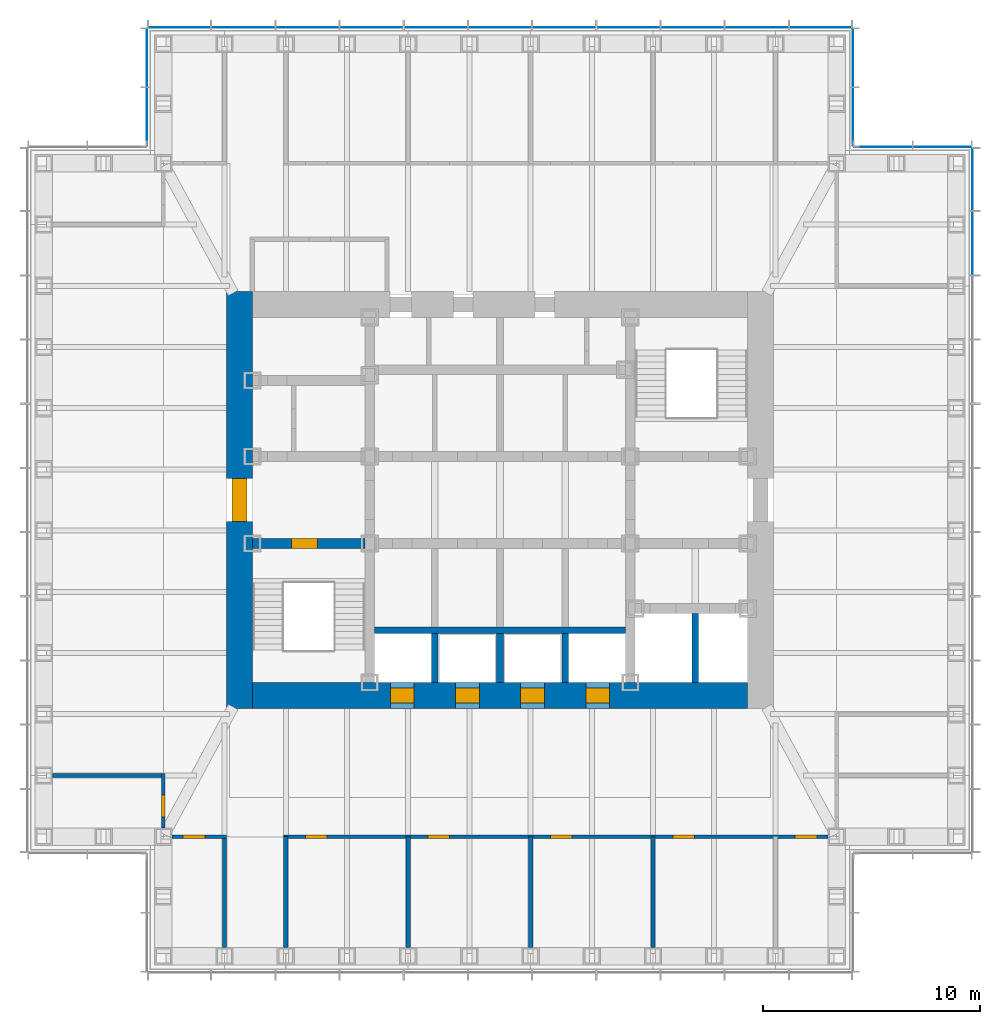
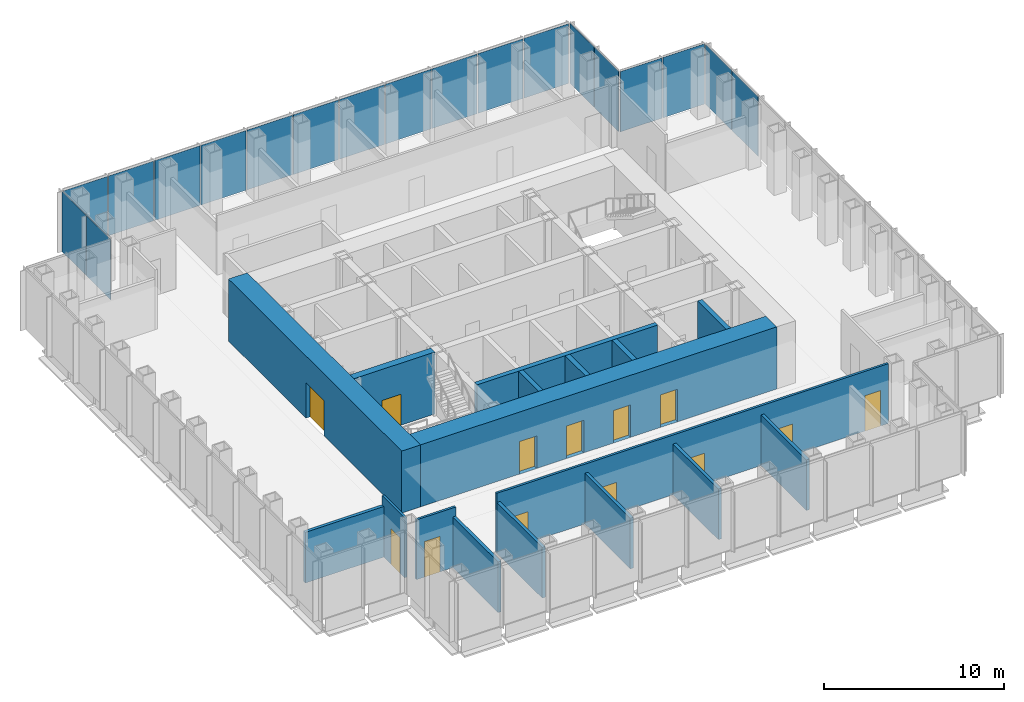
# One storey, part 8 of 16: 19 plates, 17 walls, 13 doors, 13 openings, 5 elements without a shape of their own.
"""IFC4 building model written with IfcOpenShell, lengths in metres."""

from ifc_helpers import new_model, si_unit, direction, frame, frame_2d, origin, origin_2d, place, context, subcontext, project, spatial, rectangle, extrude, material, layer, layer_set, type_object, element, fill, aggregate, save


model = new_model("IFC4")

# Units and contexts
model_context = context("Model", 3, precision=1e-05, world=origin(), true_north=direction((0.0, 1.0)))
body_context = subcontext(model_context, "Body", "Model", "MODEL_VIEW")
ifc_project = project(units=[si_unit("LENGTHUNIT", "METRE"), si_unit("AREAUNIT", "SQUARE_METRE"), si_unit("VOLUMEUNIT", "CUBIC_METRE"), si_unit("PLANEANGLEUNIT", "RADIAN"), si_unit("MASSUNIT", "GRAM", prefix="KILO")], contexts=[model_context])

# Site, building, storey
site_placement = place(None, origin())
site = spatial("IfcSite", under=ifc_project, at=site_placement, CompositionType="ELEMENT")
building_placement = place(site_placement, origin())
building = spatial("IfcBuilding", under=site, at=building_placement, Name="Daluyong Arena Tower", CompositionType="ELEMENT")
storey_placement = place(building_placement, frame((0.0, 0.0, 219.10009765625)))
storey = spatial("IfcBuildingStorey", under=building, at=storey_placement, Name="L49", CompositionType="ELEMENT", Elevation=219.10009765625)

# Curtain wall, plates
ifc_material_1 = material(Name="Bronze anodised aluminium and glass", Category="aluminium")
curtain_wall_type_1 = type_object("IfcCurtainWallType", Name="Curtain wall CW3", PredefinedType="USERDEFINED", material=ifc_material_1)
curtain_wall_1_placement = place(storey_placement, origin())
curtain_wall_1 = element("IfcCurtainWall", 1, at=curtain_wall_1_placement, inside=storey, type_object=curtain_wall_type_1, Name="curtain wall L49 E", ObjectType="UNITISED CURTAIN WALL", PredefinedType="USERDEFINED")
ifc_material_2 = material(Name="Tinted double glazed unit", Category="glass")
ifc_layer_1 = layer(ifc_material_2, 0.030029296875)
ifc_layer_set_1 = layer_set([ifc_layer_1], Name="Tinted double glazed unit")
plate_type_1 = type_object("IfcPlateType", Name="CW3 panel 30", PredefinedType="CURTAIN_PANEL", material=ifc_layer_set_1)
plate_1_placement = place(storey_placement, frame((77.75, 91.818115234375, 0.0), z_axis=(0.0, 0.0, 1.0), x_axis=(0.0, 1.0, 0.0)))
plate_1 = element("IfcPlate", 2, at=plate_1_placement, type_object=plate_type_1, Name="curtain wall L49 E panel 10", PredefinedType="CURTAIN_PANEL", context=body_context, shape_type="SweptSolid", body=[
    extrude(rectangle(XDim=2.884521484375, YDim=0.030029296875, at=origin_2d()), origin(), (0.0, 0.0, 1.0), 4.0400390625),
])
plate_2_placement = place(storey_placement, frame((77.75, 94.755126953125, 0.0), z_axis=(0.0, 0.0, 1.0), x_axis=(0.0, 1.0, 0.0)))
plate_2 = element("IfcPlate", 3, at=plate_2_placement, type_object=plate_type_1, Name="curtain wall L49 E panel 11", PredefinedType="CURTAIN_PANEL", context=body_context, shape_type="SweptSolid", body=[
    extrude(rectangle(XDim=2.849609375, YDim=0.030029296875, at=origin_2d()), origin(), (0.0, 0.0, 1.0), 4.0400390625),
])
aggregate(curtain_wall_1, [plate_1, plate_2])

curtain_wall_2_placement = place(storey_placement, origin())
curtain_wall_2 = element("IfcCurtainWall", 4, at=curtain_wall_2_placement, inside=storey, type_object=curtain_wall_type_1, Name="curtain wall L49 N", ObjectType="UNITISED CURTAIN WALL", PredefinedType="USERDEFINED")
plate_3_placement = place(storey_placement, frame((70.755126953125, 101.75, 0.0), z_axis=(0.0, 0.0, 1.0), x_axis=(-1.0, 0.0, 0.0)))
plate_3 = element("IfcPlate", 5, at=plate_3_placement, type_object=plate_type_1, Name="curtain wall L49 N panel 1", PredefinedType="CURTAIN_PANEL", context=body_context, shape_type="SweptSolid", body=[
    extrude(rectangle(XDim=2.849609375, YDim=0.030029296875, at=origin_2d()), origin(), (0.0, 0.0, 1.0), 4.0400390625),
])
plate_4_placement = place(storey_placement, frame((67.818115234375, 101.75, 0.0), z_axis=(0.0, 0.0, 1.0), x_axis=(-1.0, 0.0, 0.0)))
plate_4 = element("IfcPlate", 6, at=plate_4_placement, type_object=plate_type_1, Name="curtain wall L49 N panel 2", PredefinedType="CURTAIN_PANEL", context=body_context, shape_type="SweptSolid", body=[
    extrude(rectangle(XDim=2.884521484375, YDim=0.030029296875, at=origin_2d()), origin(), (0.0, 0.0, 1.0), 4.0400390625),
])
plate_5_placement = place(storey_placement, frame((64.863525390625, 101.75, 0.0), z_axis=(0.0, 0.0, 1.0), x_axis=(-1.0, 0.0, 0.0)))
plate_5 = element("IfcPlate", 7, at=plate_5_placement, type_object=plate_type_1, Name="curtain wall L49 N panel 3", PredefinedType="CURTAIN_PANEL", context=body_context, shape_type="SweptSolid", body=[
    extrude(rectangle(XDim=2.884521484375, YDim=0.030029296875, at=origin_2d()), origin(), (0.0, 0.0, 1.0), 4.0400390625),
])
plate_6_placement = place(storey_placement, frame((61.9091796875, 101.75, 0.0), z_axis=(0.0, 0.0, 1.0), x_axis=(-1.0, 0.0, 0.0)))
plate_6 = element("IfcPlate", 8, at=plate_6_placement, type_object=plate_type_1, Name="curtain wall L49 N panel 4", PredefinedType="CURTAIN_PANEL", context=body_context, shape_type="SweptSolid", body=[
    extrude(rectangle(XDim=2.884521484375, YDim=0.030029296875, at=origin_2d()), origin(), (0.0, 0.0, 1.0), 4.0400390625),
])
plate_7_placement = place(storey_placement, frame((58.95458984375, 101.75, 0.0), z_axis=(0.0, 0.0, 1.0), x_axis=(-1.0, 0.0, 0.0)))
plate_7 = element("IfcPlate", 9, at=plate_7_placement, type_object=plate_type_1, Name="curtain wall L49 N panel 5", PredefinedType="CURTAIN_PANEL", context=body_context, shape_type="SweptSolid", body=[
    extrude(rectangle(XDim=2.884521484375, YDim=0.030029296875, at=origin_2d()), origin(), (0.0, 0.0, 1.0), 4.0400390625),
])
plate_8_placement = place(storey_placement, frame((56.0, 101.75, 0.0), z_axis=(0.0, 0.0, 1.0), x_axis=(-1.0, 0.0, 0.0)))
plate_8 = element("IfcPlate", 10, at=plate_8_placement, type_object=plate_type_1, Name="curtain wall L49 N panel 6", PredefinedType="CURTAIN_PANEL", context=body_context, shape_type="SweptSolid", body=[
    extrude(rectangle(XDim=2.884521484375, YDim=0.030029296875, at=origin_2d()), origin(), (0.0, 0.0, 1.0), 4.0400390625),
])
plate_9_placement = place(storey_placement, frame((53.04541015625, 101.75, 0.0), z_axis=(0.0, 0.0, 1.0), x_axis=(-1.0, 0.0, 0.0)))
plate_9 = element("IfcPlate", 11, at=plate_9_placement, type_object=plate_type_1, Name="curtain wall L49 N panel 7", PredefinedType="CURTAIN_PANEL", context=body_context, shape_type="SweptSolid", body=[
    extrude(rectangle(XDim=2.884521484375, YDim=0.030029296875, at=origin_2d()), origin(), (0.0, 0.0, 1.0), 4.0400390625),
])
plate_10_placement = place(storey_placement, frame((50.0908203125, 101.75, 0.0), z_axis=(0.0, 0.0, 1.0), x_axis=(-1.0, 0.0, 0.0)))
plate_10 = element("IfcPlate", 12, at=plate_10_placement, type_object=plate_type_1, Name="curtain wall L49 N panel 8", PredefinedType="CURTAIN_PANEL", context=body_context, shape_type="SweptSolid", body=[
    extrude(rectangle(XDim=2.884521484375, YDim=0.030029296875, at=origin_2d()), origin(), (0.0, 0.0, 1.0), 4.0400390625),
])
plate_11_placement = place(storey_placement, frame((47.136474609375, 101.75, 0.0), z_axis=(0.0, 0.0, 1.0), x_axis=(-1.0, 0.0, 0.0)))
plate_11 = element("IfcPlate", 13, at=plate_11_placement, type_object=plate_type_1, Name="curtain wall L49 N panel 9", PredefinedType="CURTAIN_PANEL", context=body_context, shape_type="SweptSolid", body=[
    extrude(rectangle(XDim=2.884521484375, YDim=0.030029296875, at=origin_2d()), origin(), (0.0, 0.0, 1.0), 4.0400390625),
])
plate_12_placement = place(storey_placement, frame((44.181884765625, 101.75, 0.0), z_axis=(0.0, 0.0, 1.0), x_axis=(-1.0, 0.0, 0.0)))
plate_12 = element("IfcPlate", 14, at=plate_12_placement, type_object=plate_type_1, Name="curtain wall L49 N panel 10", PredefinedType="CURTAIN_PANEL", context=body_context, shape_type="SweptSolid", body=[
    extrude(rectangle(XDim=2.884521484375, YDim=0.030029296875, at=origin_2d()), origin(), (0.0, 0.0, 1.0), 4.0400390625),
])
plate_13_placement = place(storey_placement, frame((41.244873046875, 101.75, 0.0), z_axis=(0.0, 0.0, 1.0), x_axis=(-1.0, 0.0, 0.0)))
plate_13 = element("IfcPlate", 15, at=plate_13_placement, type_object=plate_type_1, Name="curtain wall L49 N panel 11", PredefinedType="CURTAIN_PANEL", context=body_context, shape_type="SweptSolid", body=[
    extrude(rectangle(XDim=2.849609375, YDim=0.030029296875, at=origin_2d()), origin(), (0.0, 0.0, 1.0), 4.0400390625),
])
aggregate(curtain_wall_2, [plate_3, plate_4, plate_5, plate_6, plate_7, plate_8, plate_9, plate_10, plate_11, plate_12, plate_13])

ifc_material_3 = material(Name="Bronze anodised aluminium and glass", Category="aluminium")
curtain_wall_type_2 = type_object("IfcCurtainWallType", Name="Curtain wall CW7", PredefinedType="USERDEFINED", material=ifc_material_3)
curtain_wall_3_placement = place(storey_placement, origin())
curtain_wall_3 = element("IfcCurtainWall", 16, at=curtain_wall_3_placement, inside=storey, type_object=curtain_wall_type_2, Name="curtain wall L49 NE-N", ObjectType="UNITISED CURTAIN WALL", PredefinedType="USERDEFINED")
ifc_material_4 = material(Name="Tinted double glazed unit", Category="glass")
ifc_layer_2 = layer(ifc_material_4, 0.028076171875)
ifc_layer_set_2 = layer_set([ifc_layer_2], Name="Tinted double glazed unit")
plate_type_2 = type_object("IfcPlateType", Name="CW7 panel 28", PredefinedType="CURTAIN_PANEL", material=ifc_layer_set_2)
plate_14_placement = place(storey_placement, frame((76.360107421875, 96.25, -0.000244140625), z_axis=(0.0, 0.0, 1.0), x_axis=(-1.0, 0.0, 0.0)))
plate_14 = element("IfcPlate", 17, at=plate_14_placement, type_object=plate_type_2, Name="curtain wall L49 NE-N panel 1", PredefinedType="CURTAIN_PANEL", context=body_context, shape_type="SweptSolid", body=[
    extrude(rectangle(XDim=2.659912109375, YDim=0.028076171875, at=origin_2d()), origin(), (0.0, 0.0, 1.0), 4.080078125),
])
plate_15_placement = place(storey_placement, frame((73.639892578125, 96.25, -0.000244140625), z_axis=(0.0, 0.0, 1.0), x_axis=(-1.0, 0.0, 0.0)))
plate_15 = element("IfcPlate", 18, at=plate_15_placement, type_object=plate_type_2, Name="curtain wall L49 NE-N panel 2", PredefinedType="CURTAIN_PANEL", context=body_context, shape_type="SweptSolid", body=[
    extrude(rectangle(XDim=2.659912109375, YDim=0.028076171875, at=origin_2d()), origin(), (0.0, 0.0, 1.0), 4.080078125),
])
aggregate(curtain_wall_3, [plate_14, plate_15])

curtain_wall_4_placement = place(storey_placement, origin())
curtain_wall_4 = element("IfcCurtainWall", 19, at=curtain_wall_4_placement, inside=storey, type_object=curtain_wall_type_2, Name="curtain wall L49 NE-E", ObjectType="UNITISED CURTAIN WALL", PredefinedType="USERDEFINED")
plate_16_placement = place(storey_placement, frame((72.25, 97.639892578125, -0.000244140625), z_axis=(0.0, 0.0, 1.0), x_axis=(0.0, 1.0, 0.0)))
plate_16 = element("IfcPlate", 20, at=plate_16_placement, type_object=plate_type_2, Name="curtain wall L49 NE-E panel 1", PredefinedType="CURTAIN_PANEL", context=body_context, shape_type="SweptSolid", body=[
    extrude(rectangle(XDim=2.659912109375, YDim=0.028076171875, at=origin_2d()), origin(), (0.0, 0.0, 1.0), 4.080078125),
])
plate_17_placement = place(storey_placement, frame((72.25, 100.360107421875, -0.000244140625), z_axis=(0.0, 0.0, 1.0), x_axis=(0.0, 1.0, 0.0)))
plate_17 = element("IfcPlate", 21, at=plate_17_placement, type_object=plate_type_2, Name="curtain wall L49 NE-E panel 2", PredefinedType="CURTAIN_PANEL", context=body_context, shape_type="SweptSolid", body=[
    extrude(rectangle(XDim=2.659912109375, YDim=0.028076171875, at=origin_2d()), origin(), (0.0, 0.0, 1.0), 4.080078125),
])
aggregate(curtain_wall_4, [plate_16, plate_17])

curtain_wall_5_placement = place(storey_placement, origin())
curtain_wall_5 = element("IfcCurtainWall", 22, at=curtain_wall_5_placement, inside=storey, type_object=curtain_wall_type_2, Name="curtain wall L49 NW-W", ObjectType="UNITISED CURTAIN WALL", PredefinedType="USERDEFINED")
plate_18_placement = place(storey_placement, frame((39.75, 100.360107421875, -0.000244140625), z_axis=(0.0, 0.0, 1.0), x_axis=(0.0, -1.0, 0.0)))
plate_18 = element("IfcPlate", 23, at=plate_18_placement, type_object=plate_type_2, Name="curtain wall L49 NW-W panel 1", PredefinedType="CURTAIN_PANEL", context=body_context, shape_type="SweptSolid", body=[
    extrude(rectangle(XDim=2.659912109375, YDim=0.028076171875, at=origin_2d()), origin(), (0.0, 0.0, 1.0), 4.080078125),
])
plate_19_placement = place(storey_placement, frame((39.75, 97.639892578125, -0.000244140625), z_axis=(0.0, 0.0, 1.0), x_axis=(0.0, -1.0, 0.0)))
plate_19 = element("IfcPlate", 24, at=plate_19_placement, type_object=plate_type_2, Name="curtain wall L49 NW-W panel 2", PredefinedType="CURTAIN_PANEL", context=body_context, shape_type="SweptSolid", body=[
    extrude(rectangle(XDim=2.659912109375, YDim=0.028076171875, at=origin_2d()), origin(), (0.0, 0.0, 1.0), 4.080078125),
])
aggregate(curtain_wall_5, [plate_18, plate_19])

# Wall, opening, door
ifc_material_5 = material(Name="Concrete fc' 45 MPa", Category="concrete")
ifc_layer_3 = layer(ifc_material_5, 0.449951171875)
ifc_layer_set_3 = layer_set([ifc_layer_3], Name="Concrete fc' 45 MPa")
wall_type_1 = type_object("IfcWallType", Name="Core inner wall 450", PredefinedType="SHEAR", material=ifc_layer_set_3)
wall_1_placement = place(storey_placement, frame((44.60009765625, 78.0, 0.0), z_axis=(0.0, 0.0, 1.0), x_axis=(1.0, 0.0, 0.0)))
wall_1 = element("IfcWall", 25, at=wall_1_placement, inside=storey, type_object=wall_type_1, Name="core inner wall at L49", PredefinedType="SHEAR", context=body_context, shape_type="SweptSolid", body=[
    extrude(rectangle(XDim=5.1748046875, YDim=0.449951171875, at=frame_2d((2.58740234375, 0.0))), origin(), (0.0, 0.0, 1.0), 4.199951171875),
])
opening_1_placement = place(wall_1_placement, frame((1.800048828125, 0.0, 0.0)))
opening_1 = element("IfcOpeningElement", 26, at=opening_1_placement, cuts=wall_1, Name="Opening 49016", PredefinedType="OPENING", context=body_context, shape_type="SweptSolid", body=[
    extrude(rectangle(XDim=1.199951171875, YDim=2.10009765625, at=frame_2d((0.60009765625, 1.050048828125))), frame((0.0, 0.23486328125, 0.0), z_axis=(0.0, -1.0, 0.0), x_axis=(1.0, 0.0, 0.0)), (0.0, 0.0, 1.0), 0.469970703125),
])
ifc_material_6 = material(Name="Steel door, fire rated", Category="steel")
door_type_1 = type_object("IfcDoorType", Name="Stair door 1200", OperationType="SINGLE_SWING_LEFT", PredefinedType="DOOR", material=ifc_material_6)
door_1_placement = place(opening_1_placement, origin())
door_1 = element("IfcDoor", 27, at=door_1_placement, inside=storey, type_object=door_type_1, Name="stair A door 49016", OperationType="SINGLE_SWING_LEFT", OverallHeight=2.10009765625, OverallWidth=1.199951171875, PredefinedType="DOOR", context=body_context, shape_type="SweptSolid", body=[
    extrude(rectangle(XDim=1.199951171875, YDim=2.10009765625, at=frame_2d((0.60009765625, 1.050048828125))), frame((0.0, 0.224609375, 0.0), z_axis=(0.0, -1.0, 0.0), x_axis=(1.0, 0.0, 0.0)), (0.0, 0.0, 1.0), 0.449462890625),
])
fill(opening_1, door_1)

ifc_material_7 = material(Name="Concrete fc' 60 MPa", Category="concrete")
ifc_layer_4 = layer(ifc_material_7, 1.199951171875)
ifc_layer_set_4 = layer_set([ifc_layer_4], Name="Concrete fc' 60 MPa")
wall_type_2 = type_object("IfcWallType", Name="Core wall 1200", PredefinedType="SHEAR", material=ifc_layer_set_4)
wall_2_placement = place(storey_placement, frame((44.0, 70.39990234375, 0.0), z_axis=(0.0, 0.0, 1.0), x_axis=(0.0, 1.0, 0.0)))
wall_2 = element("IfcWall", 28, at=wall_2_placement, inside=storey, type_object=wall_type_2, Name="core wall at L49", PredefinedType="SHEAR", context=body_context, shape_type="SweptSolid", body=[
    extrude(rectangle(XDim=19.2001953125, YDim=1.199951171875, at=frame_2d((9.60009765625, 0.0))), origin(), (0.0, 0.0, 1.0), 4.199951171875),
])
opening_2_placement = place(wall_2_placement, frame((8.60009765625, 0.0, 0.0)))
opening_2 = element("IfcOpeningElement", 29, at=opening_2_placement, cuts=wall_2, Name="Opening 49018", PredefinedType="OPENING", context=body_context, shape_type="SweptSolid", body=[
    extrude(rectangle(XDim=2.0, YDim=2.39990234375, at=frame_2d((1.0, 1.199951171875))), frame((0.0, 0.60986328125, 0.0), z_axis=(0.0, -1.0, 0.0), x_axis=(1.0, 0.0, 0.0)), (0.0, 0.0, 1.0), 1.219970703125),
])
ifc_material_8 = material(Name="Steel door, fire rated", Category="steel")
door_type_2 = type_object("IfcDoorType", Name="Core lobby double door 2000", OperationType="DOUBLE_DOOR_SINGLE_SWING", PredefinedType="DOOR", material=ifc_material_8)
door_2_placement = place(opening_2_placement, origin())
door_2 = element("IfcDoor", 30, at=door_2_placement, inside=storey, type_object=door_type_2, Name="core lobby door west 49018", OperationType="DOUBLE_DOOR_SINGLE_SWING", OverallHeight=2.39990234375, OverallWidth=2.0, PredefinedType="DOOR", context=body_context, shape_type="SweptSolid", body=[
    extrude(rectangle(XDim=2.0, YDim=2.39990234375, at=frame_2d((1.0, 1.199951171875))), frame((0.0, 0.35009765625, 0.0), z_axis=(0.0, -1.0, 0.0), x_axis=(1.0, 0.0, 0.0)), (0.0, 0.0, 1.0), 0.699951171875),
])
fill(opening_2, door_2)

# Wall, openings, doors
wall_3_placement = place(storey_placement, frame((44.60009765625, 71.0, 0.0), z_axis=(0.0, 0.0, 1.0), x_axis=(1.0, 0.0, 0.0)))
wall_3 = element("IfcWall", 31, at=wall_3_placement, inside=storey, type_object=wall_type_2, Name="core wall at L49", PredefinedType="SHEAR", context=body_context, shape_type="SweptSolid", body=[
    extrude(rectangle(XDim=22.7998046875, YDim=1.199951171875, at=frame_2d((11.39990234375, 0.0))), origin(), (0.0, 0.0, 1.0), 4.199951171875),
])
opening_3_placement = place(wall_3_placement, frame((6.35009765625, 0.0, 0.0)))
opening_3 = element("IfcOpeningElement", 32, at=opening_3_placement, cuts=wall_3, Name="Opening 49023", PredefinedType="OPENING", context=body_context, shape_type="SweptSolid", body=[
    extrude(rectangle(XDim=1.10009765625, YDim=2.199951171875, at=frame_2d((0.550048828125, 1.10009765625))), frame((0.0, 0.60986328125, 0.0), z_axis=(0.0, -1.0, 0.0), x_axis=(1.0, 0.0, 0.0)), (0.0, 0.0, 1.0), 1.219970703125),
])
opening_4_placement = place(wall_3_placement, frame((9.35009765625, 0.0, 0.0)))
opening_4 = element("IfcOpeningElement", 33, at=opening_4_placement, cuts=wall_3, Name="Opening 49024", PredefinedType="OPENING", context=body_context, shape_type="SweptSolid", body=[
    extrude(rectangle(XDim=1.10009765625, YDim=2.199951171875, at=frame_2d((0.550048828125, 1.10009765625))), frame((0.0, 0.60986328125, 0.0), z_axis=(0.0, -1.0, 0.0), x_axis=(1.0, 0.0, 0.0)), (0.0, 0.0, 1.0), 1.219970703125),
])
opening_5_placement = place(wall_3_placement, frame((12.35009765625, 0.0, 0.0)))
opening_5 = element("IfcOpeningElement", 34, at=opening_5_placement, cuts=wall_3, Name="Opening 49025", PredefinedType="OPENING", context=body_context, shape_type="SweptSolid", body=[
    extrude(rectangle(XDim=1.10009765625, YDim=2.199951171875, at=frame_2d((0.550048828125, 1.10009765625))), frame((0.0, 0.60986328125, 0.0), z_axis=(0.0, -1.0, 0.0), x_axis=(1.0, 0.0, 0.0)), (0.0, 0.0, 1.0), 1.219970703125),
])
opening_6_placement = place(wall_3_placement, frame((15.35009765625, 0.0, 0.0)))
opening_6 = element("IfcOpeningElement", 35, at=opening_6_placement, cuts=wall_3, Name="Opening 49026", PredefinedType="OPENING", context=body_context, shape_type="SweptSolid", body=[
    extrude(rectangle(XDim=1.10009765625, YDim=2.199951171875, at=frame_2d((0.550048828125, 1.10009765625))), frame((0.0, 0.60986328125, 0.0), z_axis=(0.0, -1.0, 0.0), x_axis=(1.0, 0.0, 0.0)), (0.0, 0.0, 1.0), 1.219970703125),
])
ifc_material_9 = material(Name="Steel door, fire rated", Category="steel")
door_type_3 = type_object("IfcDoorType", Name="Lift landing door 1100", OperationType="SLIDING_TO_LEFT", PredefinedType="DOOR", material=ifc_material_9)
door_3_placement = place(opening_3_placement, origin())
door_3 = element("IfcDoor", 36, at=door_3_placement, inside=storey, type_object=door_type_3, Name="lift landing door C1 49023", OperationType="SLIDING_TO_LEFT", OverallHeight=2.199951171875, OverallWidth=1.10009765625, PredefinedType="DOOR", context=body_context, shape_type="SweptSolid", body=[
    extrude(rectangle(XDim=1.10009765625, YDim=2.199951171875, at=frame_2d((0.550048828125, 1.10009765625))), frame((0.0, 0.35009765625, 0.0), z_axis=(0.0, -1.0, 0.0), x_axis=(1.0, 0.0, 0.0)), (0.0, 0.0, 1.0), 0.699951171875),
])
fill(opening_3, door_3)
door_4_placement = place(opening_4_placement, origin())
door_4 = element("IfcDoor", 37, at=door_4_placement, inside=storey, type_object=door_type_3, Name="lift landing door C2 49024", OperationType="SLIDING_TO_LEFT", OverallHeight=2.199951171875, OverallWidth=1.10009765625, PredefinedType="DOOR", context=body_context, shape_type="SweptSolid", body=[
    extrude(rectangle(XDim=1.10009765625, YDim=2.199951171875, at=frame_2d((0.550048828125, 1.10009765625))), frame((0.0, 0.35009765625, 0.0), z_axis=(0.0, -1.0, 0.0), x_axis=(1.0, 0.0, 0.0)), (0.0, 0.0, 1.0), 0.699951171875),
])
fill(opening_4, door_4)
door_5_placement = place(opening_5_placement, origin())
door_5 = element("IfcDoor", 38, at=door_5_placement, inside=storey, type_object=door_type_3, Name="lift landing door C3 49025", OperationType="SLIDING_TO_LEFT", OverallHeight=2.199951171875, OverallWidth=1.10009765625, PredefinedType="DOOR", context=body_context, shape_type="SweptSolid", body=[
    extrude(rectangle(XDim=1.10009765625, YDim=2.199951171875, at=frame_2d((0.550048828125, 1.10009765625))), frame((0.0, 0.35009765625, 0.0), z_axis=(0.0, -1.0, 0.0), x_axis=(1.0, 0.0, 0.0)), (0.0, 0.0, 1.0), 0.699951171875),
])
fill(opening_5, door_5)
door_6_placement = place(opening_6_placement, origin())
door_6 = element("IfcDoor", 39, at=door_6_placement, inside=storey, type_object=door_type_3, Name="lift landing door C4 49026", OperationType="SLIDING_TO_LEFT", OverallHeight=2.199951171875, OverallWidth=1.10009765625, PredefinedType="DOOR", context=body_context, shape_type="SweptSolid", body=[
    extrude(rectangle(XDim=1.10009765625, YDim=2.199951171875, at=frame_2d((0.550048828125, 1.10009765625))), frame((0.0, 0.35009765625, 0.0), z_axis=(0.0, -1.0, 0.0), x_axis=(1.0, 0.0, 0.0)), (0.0, 0.0, 1.0), 0.699951171875),
])
fill(opening_6, door_6)

# Wall, opening, door
ifc_material_10 = material(Name="Glazed aluminium partition", Category="aluminium")
ifc_layer_5 = layer(ifc_material_10, 0.14990234375)
ifc_layer_set_5 = layer_set([ifc_layer_5], Name="Glazed aluminium partition")
wall_type_3 = type_object("IfcWallType", Name="Glazed partition 150", PredefinedType="PARTITIONING", material=ifc_layer_set_5)
wall_4_placement = place(storey_placement, frame((40.89990234375, 64.5, 0.0), z_axis=(0.0, 0.0, 1.0), x_axis=(1.0, 0.0, 0.0)))
wall_4 = element("IfcWall", 40, at=wall_4_placement, inside=storey, type_object=wall_type_3, Name="glazed partition at L49", PredefinedType="PARTITIONING", context=body_context, shape_type="SweptSolid", body=[
    extrude(rectangle(XDim=2.518310546875, YDim=0.14990234375, at=frame_2d((1.25927734375, 0.0))), origin(), (0.0, 0.0, 1.0), 4.039794921875),
])
opening_7_placement = place(wall_4_placement, frame((0.509033203125, 0.0, 0.0)))
opening_7 = element("IfcOpeningElement", 41, at=opening_7_placement, cuts=wall_4, Name="Opening 49029", PredefinedType="OPENING", context=body_context, shape_type="SweptSolid", body=[
    extrude(rectangle(XDim=1.0, YDim=2.39990234375, at=frame_2d((0.5, 1.199951171875))), frame((0.0, 0.0849609375, 0.0), z_axis=(0.0, -1.0, 0.0), x_axis=(1.0, 0.0, 0.0)), (0.0, 0.0, 1.0), 0.169921875),
])
ifc_material_11 = material(Name="Glazed aluminium door", Category="aluminium")
door_type_4 = type_object("IfcDoorType", Name="Meeting room glazed door 1000", OperationType="SINGLE_SWING_RIGHT", PredefinedType="DOOR", material=ifc_material_11)
door_7_placement = place(opening_7_placement, origin())
door_7 = element("IfcDoor", 42, at=door_7_placement, inside=storey, type_object=door_type_4, Name="focus room door 49029", OperationType="SINGLE_SWING_RIGHT", OverallHeight=2.39990234375, OverallWidth=1.0, PredefinedType="DOOR", context=body_context, shape_type="SweptSolid", body=[
    extrude(rectangle(XDim=1.0, YDim=2.39990234375, at=frame_2d((0.5, 1.199951171875))), frame((0.0, 0.07470703125, 0.0), z_axis=(0.0, -1.0, 0.0), x_axis=(1.0, 0.0, 0.0)), (0.0, 0.0, 1.0), 0.1494140625),
])
fill(opening_7, door_7)

# Wall, openings, doors
wall_5_placement = place(storey_placement, frame((46.036376953125, 64.5, 0.0), z_axis=(0.0, 0.0, 1.0), x_axis=(1.0, 0.0, 0.0)))
wall_5 = element("IfcWall", 43, at=wall_5_placement, inside=storey, type_object=wall_type_3, Name="glazed partition at L49", PredefinedType="PARTITIONING", context=body_context, shape_type="SweptSolid", body=[
    extrude(rectangle(XDim=25.063720703125, YDim=0.14990234375, at=frame_2d((12.53173828125, 0.0))), origin(), (0.0, 0.0, 1.0), 4.039794921875),
])
opening_8_placement = place(wall_5_placement, frame((1.009033203125, 0.0, 0.0)))
opening_8 = element("IfcOpeningElement", 44, at=opening_8_placement, cuts=wall_5, Name="Opening 49030", PredefinedType="OPENING", context=body_context, shape_type="SweptSolid", body=[
    extrude(rectangle(XDim=1.0, YDim=2.10009765625, at=frame_2d((0.5, 1.050048828125))), frame((0.0, 0.0849609375, 0.0), z_axis=(0.0, -1.0, 0.0), x_axis=(1.0, 0.0, 0.0)), (0.0, 0.0, 1.0), 0.169921875),
])
opening_9_placement = place(wall_5_placement, frame((6.6455078125, 0.0, 0.0)))
opening_9 = element("IfcOpeningElement", 45, at=opening_9_placement, cuts=wall_5, Name="Opening 49031", PredefinedType="OPENING", context=body_context, shape_type="SweptSolid", body=[
    extrude(rectangle(XDim=1.0, YDim=2.10009765625, at=frame_2d((0.5, 1.050048828125))), frame((0.0, 0.0849609375, 0.0), z_axis=(0.0, -1.0, 0.0), x_axis=(1.0, 0.0, 0.0)), (0.0, 0.0, 1.0), 0.169921875),
])
opening_10_placement = place(wall_5_placement, frame((12.28173828125, 0.0, 0.0)))
opening_10 = element("IfcOpeningElement", 46, at=opening_10_placement, cuts=wall_5, Name="Opening 49032", PredefinedType="OPENING", context=body_context, shape_type="SweptSolid", body=[
    extrude(rectangle(XDim=1.0, YDim=2.10009765625, at=frame_2d((0.5, 1.050048828125))), frame((0.0, 0.0849609375, 0.0), z_axis=(0.0, -1.0, 0.0), x_axis=(1.0, 0.0, 0.0)), (0.0, 0.0, 1.0), 0.169921875),
])
opening_11_placement = place(wall_5_placement, frame((17.918212890625, 0.0, 0.0)))
opening_11 = element("IfcOpeningElement", 47, at=opening_11_placement, cuts=wall_5, Name="Opening 49033", PredefinedType="OPENING", context=body_context, shape_type="SweptSolid", body=[
    extrude(rectangle(XDim=1.0, YDim=2.10009765625, at=frame_2d((0.5, 1.050048828125))), frame((0.0, 0.0849609375, 0.0), z_axis=(0.0, -1.0, 0.0), x_axis=(1.0, 0.0, 0.0)), (0.0, 0.0, 1.0), 0.169921875),
])
opening_12_placement = place(wall_5_placement, frame((23.554443359375, 0.0, 0.0)))
opening_12 = element("IfcOpeningElement", 48, at=opening_12_placement, cuts=wall_5, Name="Opening 49034", PredefinedType="OPENING", context=body_context, shape_type="SweptSolid", body=[
    extrude(rectangle(XDim=1.0, YDim=2.39990234375, at=frame_2d((0.5, 1.199951171875))), frame((0.0, 0.0849609375, 0.0), z_axis=(0.0, -1.0, 0.0), x_axis=(1.0, 0.0, 0.0)), (0.0, 0.0, 1.0), 0.169921875),
])
door_8_placement = place(opening_12_placement, origin())
door_8 = element("IfcDoor", 49, at=door_8_placement, inside=storey, type_object=door_type_4, Name="focus room door 49034", OperationType="SINGLE_SWING_RIGHT", OverallHeight=2.39990234375, OverallWidth=1.0, PredefinedType="DOOR", context=body_context, shape_type="SweptSolid", body=[
    extrude(rectangle(XDim=1.0, YDim=2.39990234375, at=frame_2d((0.5, 1.199951171875))), frame((0.0, 0.07470703125, 0.0), z_axis=(0.0, -1.0, 0.0), x_axis=(1.0, 0.0, 0.0)), (0.0, 0.0, 1.0), 0.1494140625),
])
fill(opening_12, door_8)
ifc_material_12 = material(Name="Timber door", Category="wood")
door_type_5 = type_object("IfcDoorType", Name="Room door 1000", OperationType="SINGLE_SWING_LEFT", PredefinedType="DOOR", material=ifc_material_12)
door_9_placement = place(opening_8_placement, origin())
door_9 = element("IfcDoor", 50, at=door_9_placement, inside=storey, type_object=door_type_5, Name="office door 49030", OperationType="SINGLE_SWING_LEFT", OverallHeight=2.10009765625, OverallWidth=1.0, PredefinedType="DOOR", context=body_context, shape_type="SweptSolid", body=[
    extrude(rectangle(XDim=1.0, YDim=2.10009765625, at=frame_2d((0.5, 1.050048828125))), frame((0.0, 0.07470703125, 0.0), z_axis=(0.0, -1.0, 0.0), x_axis=(1.0, 0.0, 0.0)), (0.0, 0.0, 1.0), 0.1494140625),
])
fill(opening_8, door_9)
door_10_placement = place(opening_9_placement, origin())
door_10 = element("IfcDoor", 51, at=door_10_placement, inside=storey, type_object=door_type_5, Name="office door 49031", OperationType="SINGLE_SWING_LEFT", OverallHeight=2.10009765625, OverallWidth=1.0, PredefinedType="DOOR", context=body_context, shape_type="SweptSolid", body=[
    extrude(rectangle(XDim=1.0, YDim=2.10009765625, at=frame_2d((0.5, 1.050048828125))), frame((0.0, 0.07470703125, 0.0), z_axis=(0.0, -1.0, 0.0), x_axis=(1.0, 0.0, 0.0)), (0.0, 0.0, 1.0), 0.1494140625),
])
fill(opening_9, door_10)
door_11_placement = place(opening_10_placement, origin())
door_11 = element("IfcDoor", 52, at=door_11_placement, inside=storey, type_object=door_type_5, Name="office door 49032", OperationType="SINGLE_SWING_LEFT", OverallHeight=2.10009765625, OverallWidth=1.0, PredefinedType="DOOR", context=body_context, shape_type="SweptSolid", body=[
    extrude(rectangle(XDim=1.0, YDim=2.10009765625, at=frame_2d((0.5, 1.050048828125))), frame((0.0, 0.07470703125, 0.0), z_axis=(0.0, -1.0, 0.0), x_axis=(1.0, 0.0, 0.0)), (0.0, 0.0, 1.0), 0.1494140625),
])
fill(opening_10, door_11)
door_12_placement = place(opening_11_placement, origin())
door_12 = element("IfcDoor", 53, at=door_12_placement, inside=storey, type_object=door_type_5, Name="office door 49033", OperationType="SINGLE_SWING_LEFT", OverallHeight=2.10009765625, OverallWidth=1.0, PredefinedType="DOOR", context=body_context, shape_type="SweptSolid", body=[
    extrude(rectangle(XDim=1.0, YDim=2.10009765625, at=frame_2d((0.5, 1.050048828125))), frame((0.0, 0.07470703125, 0.0), z_axis=(0.0, -1.0, 0.0), x_axis=(1.0, 0.0, 0.0)), (0.0, 0.0, 1.0), 0.1494140625),
])
fill(opening_11, door_12)

# Wall, opening, door
wall_6_placement = place(storey_placement, frame((40.5, 64.89990234375, 0.0), z_axis=(0.0, 0.0, 1.0), x_axis=(0.0, 1.0, 0.0)))
wall_6 = element("IfcWall", 54, at=wall_6_placement, inside=storey, type_object=wall_type_3, Name="glazed partition at L49", PredefinedType="PARTITIONING", context=body_context, shape_type="SweptSolid", body=[
    extrude(rectangle(XDim=2.518310546875, YDim=0.14990234375, at=frame_2d((1.25927734375, 0.0))), origin(), (0.0, 0.0, 1.0), 4.039794921875),
])
opening_13_placement = place(wall_6_placement, frame((0.509033203125, 0.0, 0.0)))
opening_13 = element("IfcOpeningElement", 55, at=opening_13_placement, cuts=wall_6, Name="Opening 49044", PredefinedType="OPENING", context=body_context, shape_type="SweptSolid", body=[
    extrude(rectangle(XDim=1.0, YDim=2.39990234375, at=frame_2d((0.5, 1.199951171875))), frame((0.0, 0.0849609375, 0.0), z_axis=(0.0, -1.0, 0.0), x_axis=(1.0, 0.0, 0.0)), (0.0, 0.0, 1.0), 0.169921875),
])
door_13_placement = place(opening_13_placement, origin())
door_13 = element("IfcDoor", 56, at=door_13_placement, inside=storey, type_object=door_type_4, Name="focus room door 49044", OperationType="SINGLE_SWING_RIGHT", OverallHeight=2.39990234375, OverallWidth=1.0, PredefinedType="DOOR", context=body_context, shape_type="SweptSolid", body=[
    extrude(rectangle(XDim=1.0, YDim=2.39990234375, at=frame_2d((0.5, 1.199951171875))), frame((0.0, 0.07470703125, 0.0), z_axis=(0.0, -1.0, 0.0), x_axis=(1.0, 0.0, 0.0)), (0.0, 0.0, 1.0), 0.1494140625),
])
fill(opening_13, door_13)

# Walls
ifc_material_13 = material(Name="Concrete fc' 45 MPa", Category="concrete")
ifc_layer_6 = layer(ifc_material_13, 0.300048828125)
ifc_layer_set_6 = layer_set([ifc_layer_6], Name="Concrete fc' 45 MPa")
wall_type_4 = type_object("IfcWallType", Name="Lift shaft wall 300", PredefinedType="SHEAR", material=ifc_layer_set_6)
wall_7_placement = place(storey_placement, frame((50.22509765625, 74.0, 0.0), z_axis=(0.0, 0.0, 1.0), x_axis=(1.0, 0.0, 0.0)))
element("IfcWall", 57, at=wall_7_placement, inside=storey, type_object=wall_type_4, Name="lift shaft wall at L49", PredefinedType="SHEAR", context=body_context, shape_type="SweptSolid", body=[
    extrude(rectangle(XDim=11.5498046875, YDim=0.300048828125, at=frame_2d((5.77490234375, 0.0))), origin(), (0.0, 0.0, 1.0), 4.199951171875),
])
for number, where, z_axis, x_axis, name in (
    (58, (53.0, 71.60009765625, 0.0), (0.0, 0.0, 1.0), (0.0, 1.0, 0.0), "lift shaft wall at L49"),
    (59, (56.0, 71.60009765625, 0.0), (0.0, 0.0, 1.0), (0.0, 1.0, 0.0), "lift shaft wall at L49"),
    (60, (59.0, 71.60009765625, 0.0), (0.0, 0.0, 1.0), (0.0, 1.0, 0.0), "lift shaft wall at L49"),
):
    element("IfcWall", number, at=place(storey_placement, frame(where, z_axis=z_axis, x_axis=x_axis)), inside=storey, type_object=wall_type_4, Name=name, PredefinedType="SHEAR", context=body_context, shape_type="SweptSolid", body=[
        extrude(rectangle(XDim=2.25, YDim=0.300048828125, at=frame_2d((1.125, 0.0))), origin(), (0.0, 0.0, 1.0), 4.199951171875),
    ])
wall_8_placement = place(storey_placement, frame((65.0, 71.60009765625, 0.0), z_axis=(0.0, 0.0, 1.0), x_axis=(0.0, 1.0, 0.0)))
element("IfcWall", 61, at=wall_8_placement, inside=storey, type_object=wall_type_4, Name="lift shaft wall at L49", PredefinedType="SHEAR", context=body_context, shape_type="SweptSolid", body=[
    extrude(rectangle(XDim=3.1748046875, YDim=0.300048828125, at=frame_2d((1.58740234375, 0.0))), origin(), (0.0, 0.0, 1.0), 4.199951171875),
])
ifc_material_14 = material(Name="Concrete block partition", Category="concrete")
ifc_layer_7 = layer(ifc_material_14, 0.199951171875)
ifc_layer_set_7 = layer_set([ifc_layer_7], Name="Concrete block partition")
wall_type_5 = type_object("IfcWallType", Name="Partition 200", PredefinedType="PARTITIONING", material=ifc_layer_set_7)
for number, where, z_axis, x_axis, name in (
    (62, (43.318115234375, 59.39990234375, 0.0), (0.0, 0.0, 1.0), (0.0, 1.0, 0.0), "partition at L49"),
    (63, (46.136474609375, 59.39990234375, 0.0), (0.0, 0.0, 1.0), (0.0, 1.0, 0.0), "partition at L49"),
    (64, (51.772705078125, 59.39990234375, 0.0), (0.0, 0.0, 1.0), (0.0, 1.0, 0.0), "partition at L49"),
    (65, (57.4091796875, 59.39990234375, 0.0), (0.0, 0.0, 1.0), (0.0, 1.0, 0.0), "partition at L49"),
    (66, (63.04541015625, 59.39990234375, 0.0), (0.0, 0.0, 1.0), (0.0, 1.0, 0.0), "partition at L49"),
    (67, (35.39990234375, 67.318115234375, 0.0), (0.0, 0.0, 1.0), (1.0, 0.0, 0.0), "partition at L49"),
):
    element("IfcWall", number, at=place(storey_placement, frame(where, z_axis=z_axis, x_axis=x_axis)), inside=storey, type_object=wall_type_5, Name=name, PredefinedType="PARTITIONING", context=body_context, shape_type="SweptSolid", body=[
        extrude(rectangle(XDim=5.10009765625, YDim=0.199951171875, at=frame_2d((2.550048828125, 0.0))), origin(), (0.0, 0.0, 1.0), 3.427734375),
    ])

save(model, "model.ifc")
